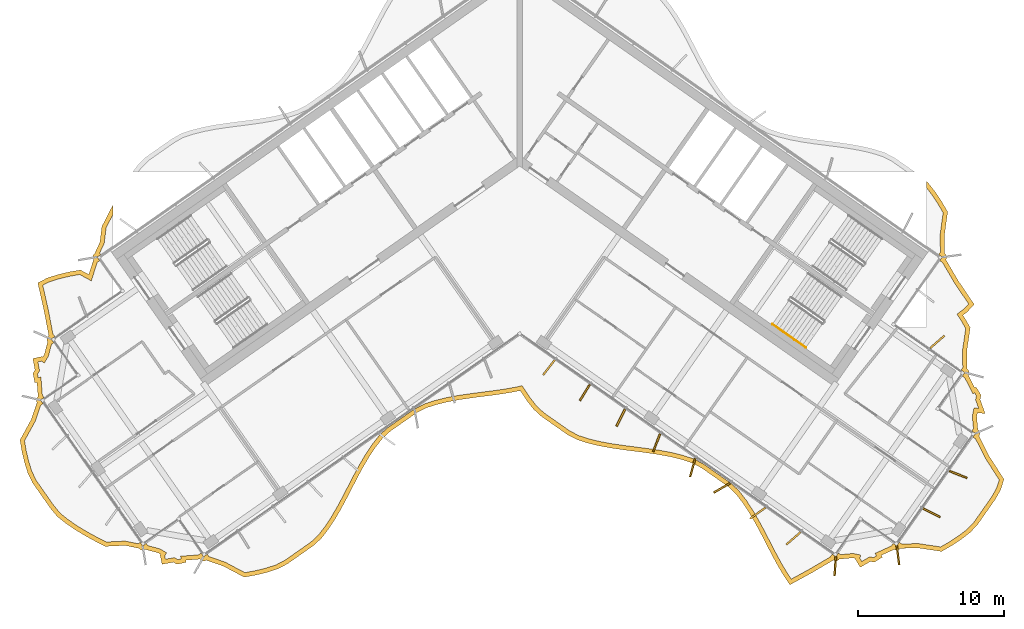
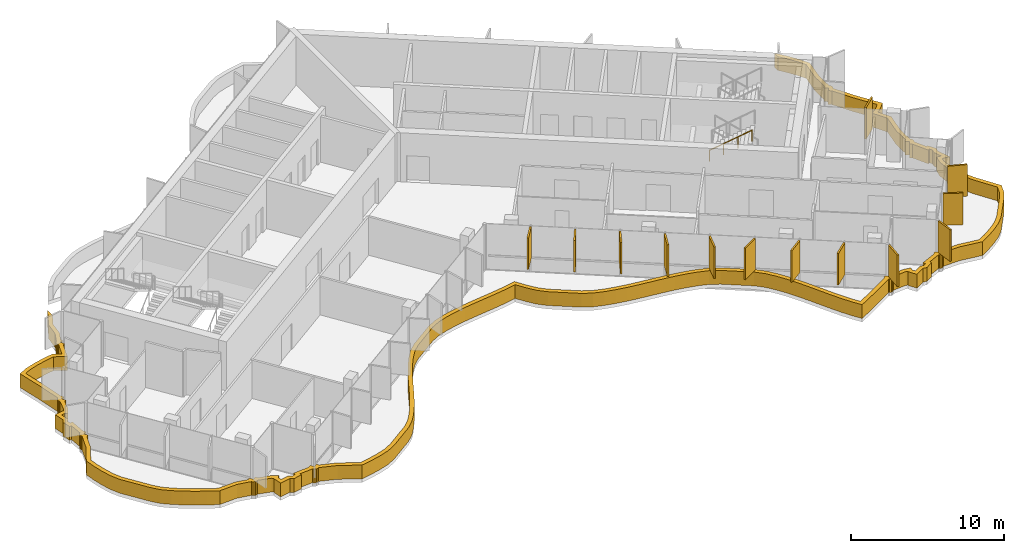
# One storey, part 16 of 18: 14 shading devices, 1 railing.
"""IFC4 building model written with IfcOpenShell, lengths in metres."""

from ifc_helpers import new_model, si_unit, direction, frame, origin, origin_2d, place, context, subcontext, project, spatial, polyline, rectangle, circle, outline, extrude, material, layer, layer_set, type_object, element, save


model = new_model("IFC4")

# Units and contexts
model_context = context("Model", 3, precision=1e-05, world=origin(), true_north=direction((0.0, 1.0)))
body_context = subcontext(model_context, "Body", "Model", "MODEL_VIEW")
ifc_project = project(units=[si_unit("LENGTHUNIT", "METRE"), si_unit("AREAUNIT", "SQUARE_METRE"), si_unit("VOLUMEUNIT", "CUBIC_METRE"), si_unit("PLANEANGLEUNIT", "RADIAN"), si_unit("MASSUNIT", "GRAM", prefix="KILO")], contexts=[model_context])

# Site, building, storey
site_placement = place(None, origin())
site = spatial("IfcSite", under=ifc_project, at=site_placement, CompositionType="ELEMENT")
building_placement = place(site_placement, origin())
building = spatial("IfcBuilding", under=site, at=building_placement, Name="Tel Ilan Convention Tower", CompositionType="ELEMENT")
storey_placement = place(building_placement, frame((0.0, 0.0, 252.699951171875)))
storey = spatial("IfcBuildingStorey", under=building, at=storey_placement, Name="L59", CompositionType="ELEMENT", Elevation=252.699951171875)

# Shading devices
ifc_material_1 = material(Name="Aluminium, bronze anodised", Category="aluminium")
ifc_layer_1 = layer(ifc_material_1, 0.1201171875)
ifc_layer_set_1 = layer_set([ifc_layer_1], Name="FIN BRONZE 1300x120")
shading_device_type_1 = type_object("IfcShadingDeviceType", Name="FIN BRONZE 1300x120", PredefinedType="USERDEFINED", material=ifc_layer_set_1)
for number, where, z_axis, x_axis, name in (
    (1, (2.007568359375, -15.019287109375, 1.10009765625), (0.0, 0.0, 1.0), (-0.612600545196, -0.790392669516, 0.0), "FIN"),
    (2, (4.466552734375, -16.740966796875, 1.10009765625), (0.0, 0.0, 1.0), (-0.533204432798, -0.845986425922, 0.0), "FIN"),
    (3, (6.92529296875, -18.46240234375, 1.10009765625), (0.0, 0.0, 1.0), (-0.448799180206, -0.893632640321, 0.0), "FIN"),
    (4, (9.38671875, -20.177978515625, 1.10009765625), (0.0, 0.0, 1.0), (-0.360177724803, -0.932883704733, 0.0), "FIN"),
    (5, (11.8505859375, -21.887939453125, 1.10009765625), (0.0, 0.0, 1.0), (-0.268172612768, -0.963370878614, 0.0), "FIN"),
    (6, (13.865966796875, -23.276611328125, 1.10009765625), (0.0, 0.0, 1.0), (-0.866025403784, -0.5, 0.0), "FIN"),
    (7, (16.310302734375, -25.0107421875, 1.10009765625), (0.0, 0.0, 1.0), (-0.813552070258, -0.581492071294, 0.0), "FIN"),
    (8, (18.759765625, -26.7412109375, 1.10009765625), (0.0, 0.0, 1.0), (-0.753435896329, -0.657521368568, 0.0), "FIN"),
    (9, (21.623046875, -28.650146484375, 1.10009765625), (0.0, 0.0, 1.0), (-0.067821812994, -0.997697449973, 0.0), "FIN"),
    (10, (25.925048828125, -27.8984375, 1.10009765625), (0.0, 0.0, 1.0), (0.125718016748, -0.992066016082, 0.0), "FIN"),
    (11, (28.227783203125, -24.98095703125, 1.10009765625), (0.0, 0.0, 1.0), (0.893632640321, -0.448799180206, 0.0), "FIN"),
    (12, (30.05517578125, -22.360107421875, 1.10009765625), (0.0, 0.0, 1.0), (0.932883704733, -0.360177724803, 0.0), "FIN"),
    (13, (28.6201171875, -13.27099609375, 1.10009765625), (0.0, 0.0, 1.0), (0.753435896329, 0.657521368568, 0.0), "FIN"),
):
    element("IfcShadingDevice", number, at=place(storey_placement, frame(where, z_axis=z_axis, x_axis=x_axis)), inside=storey, type_object=shading_device_type_1, Name=name, ObjectType="FIN", PredefinedType="USERDEFINED", context=body_context, shape_type="SweptSolid", body=[
        extrude(rectangle(XDim=1.300048828125, YDim=0.1201171875, at=origin_2d()), origin(), (0.0, 0.0, 1.0), 2.52001953125),
    ])
ifc_material_2 = material(Name="Aluminium, bronze anodised", Category="aluminium")
ifc_layer_2 = layer(ifc_material_2, 0.300048828125)
ifc_layer_set_2 = layer_set([ifc_layer_2], Name="LOUVRE BAND 300x1100")
shading_device_type_2 = type_object("IfcShadingDeviceType", Name="LOUVRE BAND 300x1100", PredefinedType="USERDEFINED", material=ifc_layer_set_2)
shading_device_placement = place(storey_placement, origin())
element("IfcShadingDevice", 14, at=shading_device_placement, inside=storey, type_object=shading_device_type_2, Name="LOUVRE BAND 46.01", ObjectType="LOUVRE", PredefinedType="USERDEFINED", context=body_context, shape_type="SweptSolid", body=[
    extrude(outline(polyline([(-33.47021484375, -18.574462890625), (-34.248779296875, -19.995849609375), (-34.1181640625, -20.780517578125), (-33.940185546875, -21.531982421875), (-33.7158203125, -22.2509765625), (-33.401611328125, -22.906982421875), (-32.166748046875, -24.670654296875), (-31.707763671875, -25.22509765625), (-31.125732421875, -25.69384765625), (-30.49462890625, -26.1279296875), (-29.82373046875, -26.5341796875), (-29.12353515625, -26.920166015625), (-28.398193359375, -27.288330078125), (-27.05419921875, -27.223388671875), (-26.083984375, -27.420166015625), (-26.05517578125, -27.46337890625), (-25.957763671875, -27.5283203125), (-25.843017578125, -27.55126953125), (-25.728271484375, -27.5283203125), (-25.674072265625, -27.492431640625), (-24.7724609375, -27.73388671875), (-24.61669921875, -27.828857421875), (-24.64697265625, -27.878662109375), (-24.51416015625, -28.518310546875), (-23.728759765625, -28.3701171875), (-23.49462890625, -28.5126953125), (-22.855224609375, -28.3798828125), (-22.8828125, -28.233154296875), (-21.90576171875, -28.15673828125), (-21.876953125, -28.2001953125), (-21.779541015625, -28.26513671875), (-21.664794921875, -28.2880859375), (-21.550048828125, -28.26513671875), (-21.49609375, -28.22900390625), (-20.311279296875, -28.64013671875), (-18.883544921875, -29.3984375), (-18.087646484375, -29.25439453125), (-17.32080078125, -29.068359375), (-16.588623046875, -28.833251953125), (-15.931640625, -28.490478515625), (-14.12646484375, -27.226318359375), (-13.582763671875, -26.721923828125), (-13.1123046875, -26.113037109375), (-12.67626953125, -25.454833984375), (-12.267333984375, -24.7578125), (-11.877197265625, -24.0341796875), (-11.11572265625, -22.56005859375), (-10.724853515625, -21.83740234375), (-10.314697265625, -21.142333984375), (-9.877197265625, -20.486572265625), (-9.404541015625, -19.88037109375), (-8.85498046875, -19.384765625), (-7.049560546875, -18.12060546875), (-6.386474609375, -17.78662109375), (-5.65234375, -17.55419921875), (-4.884033203125, -17.370849609375), (-4.088623046875, -17.225830078125), (-3.274658203125, -17.107421875), (-1.629150390625, -16.895751953125), (-0.816650390625, -16.775146484375), (0.033203125, -16.6123046875), (0.470458984375, -17.269775390625), (0.94189453125, -17.877197265625), (1.488525390625, -18.377197265625), (3.2939453125, -19.641357421875), (3.953857421875, -19.979736328125), (4.68701171875, -20.213623046875), (5.45458984375, -20.398193359375), (6.24951171875, -20.5439453125), (7.06298828125, -20.6630859375), (8.70849609375, -20.87451171875), (9.521240234375, -20.99462890625), (10.314697265625, -21.142333984375), (11.080810546875, -21.329345703125), (11.811767578125, -21.56591796875), (12.4658203125, -21.912841796875), (14.27099609375, -23.177001953125), (14.811767578125, -23.685791015625), (15.28125, -24.29638671875), (15.71630859375, -24.95556640625), (16.12451171875, -25.653564453125), (16.51416015625, -26.3779296875), (17.27587890625, -27.851806640625), (17.6669921875, -28.573974609375), (18.077880859375, -29.26806640625), (18.5185546875, -29.91943359375), (19.969482421875, -29.128173828125), (21.49609375, -28.22900390625), (21.550048828125, -28.26513671875), (21.664794921875, -28.2880859375), (21.779541015625, -28.26513671875), (21.876953125, -28.2001953125), (21.90576171875, -28.15673828125), (22.8359375, -28.075439453125), (23.0146484375, -28.111328125), (23.003173828125, -28.168701171875), (23.3466796875, -28.72412109375), (24.0341796875, -28.316162109375), (24.302734375, -28.370361328125), (24.8583984375, -28.02685546875), (24.7822265625, -27.8984375), (25.674072265625, -27.492431640625), (25.728271484375, -27.5283203125), (25.843017578125, -27.55126953125), (25.957763671875, -27.5283203125), (26.05517578125, -27.46337890625), (26.083984375, -27.420166015625), (27.309326171875, -27.395263671875), (28.911376953125, -27.634521484375), (29.60546875, -27.237548828125), (30.25439453125, -26.809326171875), (30.856201171875, -26.347900390625), (31.3623046875, -25.819580078125), (32.6064453125, -24.042724609375), (32.962646484375, -23.409423828125), (33.192138671875, -22.687255859375), (32.166015625, -21.086181640625), (31.4755859375, -19.719970703125), (31.51171875, -19.666015625), (31.53466796875, -19.55126953125), (31.51171875, -19.4365234375), (31.44677734375, -19.339111328125), (31.4033203125, -19.31005859375), (31.322021484375, -18.380126953125), (31.373779296875, -18.12255859375), (31.9052734375, -18.189697265625), (31.555419921875, -17.218994140625), (31.616943359375, -16.9130859375), (31.2734375, -16.357666015625), (31.182861328125, -16.411376953125), (30.739013671875, -15.541748046875), (30.775146484375, -15.48779296875), (30.7978515625, -15.373046875), (30.775146484375, -15.25830078125), (30.7099609375, -15.160888671875), (30.666748046875, -15.1318359375), (30.642822265625, -13.902099609375), (30.879638671875, -12.2998046875), (30.48095703125, -11.605224609375), (30.3720703125, -11.4404296875), (30.66748046875, -11.218994140625), (31.151123046875, -10.703125), (30.056640625, -9.082275390625), (29.199951171875, -7.6279296875), (29.236083984375, -7.57373046875), (29.2587890625, -7.458984375), (29.236083984375, -7.34423828125), (29.1708984375, -7.246826171875), (29.127685546875, -7.218017578125), (29.10986328125, -5.95947265625), (29.331298828125, -4.35888671875), (28.922119140625, -3.659423828125), (28.48388671875, -3.001220703125), (28.0107421875, -2.392822265625), (27.874755859375, -2.269287109375), (27.874755859375, -2.70654296875), (28.240234375, -3.176513671875), (28.66748046875, -3.818359375), (29.02001953125, -4.420654296875), (28.809326171875, -5.941162109375), (28.829345703125, -7.12109375), (28.713134765625, -7.286865234375), (28.958740234375, -7.458984375), (28.787353515625, -7.705322265625), (28.97900390625, -7.83935546875), (29.802734375, -9.2421875), (30.7685546875, -10.672607421875), (30.466552734375, -10.99462890625), (29.9658203125, -11.369873046875), (30.225341796875, -11.7626953125), (30.567626953125, -12.35888671875), (30.34228515625, -13.88330078125), (30.367919921875, -15.03564453125), (30.252197265625, -15.200927734375), (30.497802734375, -15.373046875), (30.326416015625, -15.619140625), (30.510009765625, -15.747802734375), (31.060302734375, -16.832763671875), (31.173095703125, -16.765869140625), (31.29931640625, -16.97021484375), (31.244873046875, -17.241943359375), (31.45703125, -17.830810546875), (31.134765625, -17.7900390625), (31.019287109375, -18.364013671875), (31.097900390625, -19.223388671875), (30.98876953125, -19.379150390625), (31.234619140625, -19.55126953125), (31.063232421875, -19.79736328125), (31.246337890625, -19.92578125), (31.905029296875, -21.23486328125), (32.863525390625, -22.730712890625), (32.68603515625, -23.289306640625), (32.352294921875, -23.8828125), (31.129638671875, -25.628662109375), (30.6552734375, -26.123779296875), (30.080322265625, -26.56494140625), (29.4482421875, -26.98193359375), (28.852783203125, -27.322265625), (27.328125, -27.0947265625), (26.18017578125, -27.12109375), (26.01513671875, -27.005615234375), (25.843017578125, -27.251220703125), (25.5966796875, -27.079833984375), (25.472412109375, -27.257568359375), (24.35302734375, -27.762939453125), (24.4501953125, -27.926513671875), (24.245849609375, -28.052734375), (23.980224609375, -27.99951171875), (23.447021484375, -28.31591796875), (23.32080078125, -28.111572265625), (23.367919921875, -27.87646484375), (22.85205078125, -27.772705078125), (21.99267578125, -27.851318359375), (21.8369140625, -27.7421875), (21.664794921875, -27.988037109375), (21.418701171875, -27.816650390625), (21.284423828125, -28.008056640625), (19.82177734375, -28.866943359375), (18.6142578125, -29.525634765625), (18.331298828125, -29.107666015625), (17.92822265625, -28.426025390625), (17.541015625, -27.71142578125), (16.779541015625, -26.238037109375), (16.38623046875, -25.506591796875), (15.97119140625, -24.797119140625), (15.525634765625, -24.1220703125), (15.034912109375, -23.48388671875), (14.4609375, -22.94384765625), (12.62255859375, -21.656494140625), (11.92919921875, -21.288818359375), (11.16259765625, -21.04052734375), (10.3779296875, -20.848876953125), (9.570556640625, -20.69873046875), (8.749755859375, -20.577392578125), (7.103759765625, -20.36572265625), (6.29833984375, -20.248046875), (5.516845703125, -20.1044921875), (4.767822265625, -19.924560546875), (4.068603515625, -19.701416015625), (3.44921875, -19.3837890625), (1.6767578125, -18.142822265625), (1.163330078125, -17.673095703125), (0.714111328125, -17.094482421875), (0.165771484375, -16.269775390625), (-0.087890625, -16.33349609375), (-0.866455078125, -16.479248046875), (-1.67041015625, -16.5986328125), (-3.315185546875, -16.81005859375), (-4.136962890625, -16.9296875), (-4.945556640625, -17.0771484375), (-5.732666015625, -17.264892578125), (-6.5, -17.5078125), (-7.203857421875, -17.8623046875), (-9.042236328125, -19.1494140625), (-9.625, -19.67529296875), (-10.12060546875, -20.310791015625), (-10.56884765625, -20.982666015625), (-10.986083984375, -21.68994140625), (-11.380859375, -22.419677734375), (-12.142578125, -23.89404296875), (-12.529052734375, -24.61083984375), (-12.930908203125, -25.2958984375), (-13.356201171875, -25.938232421875), (-13.804931640625, -26.518798828125), (-14.315185546875, -26.992431640625), (-16.087890625, -28.233642578125), (-16.704833984375, -28.555419921875), (-17.402099609375, -28.779541015625), (-18.149658203125, -28.960693359375), (-18.83447265625, -29.084716796875), (-20.19140625, -28.3642578125), (-21.302978515625, -27.981689453125), (-21.418701171875, -27.816650390625), (-21.664794921875, -27.988037109375), (-21.8369140625, -27.7421875), (-22.01513671875, -27.8671875), (-23.239990234375, -27.959228515625), (-23.20458984375, -28.14599609375), (-23.439697265625, -28.19482421875), (-23.671142578125, -28.053955078125), (-24.2802734375, -28.1689453125), (-24.3291015625, -27.933837890625), (-24.204345703125, -27.72900390625), (-24.65380859375, -27.455078125), (-25.48828125, -27.23486328125), (-25.5966796875, -27.079833984375), (-25.843017578125, -27.251220703125), (-26.01513671875, -27.005615234375), (-26.15478515625, -27.103271484375), (-27.03076171875, -26.921875), (-28.333251953125, -26.98486328125), (-28.983154296875, -26.65478515625), (-29.673583984375, -26.2744140625), (-30.331787109375, -25.8759765625), (-30.946533203125, -25.453125), (-31.495849609375, -25.010498046875), (-31.927978515625, -24.488525390625), (-33.141845703125, -22.755126953125), (-33.43603515625, -22.140869140625), (-33.650634765625, -21.45263671875), (-33.823974609375, -20.72119140625), (-33.935791015625, -20.048828125), (-33.1943359375, -18.6953125), (-32.833251953125, -17.61865234375), (-32.669189453125, -17.50390625), (-32.840576171875, -17.257568359375), (-32.594970703125, -17.08544921875), (-32.7197265625, -16.9072265625), (-32.811767578125, -15.6826171875), (-32.998779296875, -15.7177734375), (-33.047607421875, -15.482666015625), (-32.906494140625, -15.251220703125), (-33.021484375, -14.64208984375), (-32.786376953125, -14.59326171875), (-32.58154296875, -14.718017578125), (-32.3076171875, -14.268798828125), (-32.087646484375, -13.434326171875), (-31.932373046875, -13.32568359375), (-32.103759765625, -13.079345703125), (-31.858154296875, -12.9072265625), (-31.993408203125, -12.714111328125), (-32.314697265625, -11.033447265625), (-32.68798828125, -9.385986328125), (-32.26708984375, -9.168701171875), (-31.5771484375, -8.950439453125), (-30.838623046875, -8.77392578125), (-30.161376953125, -8.65625), (-29.363525390625, -9.087646484375), (-28.950439453125, -7.8193359375), (-28.787353515625, -7.705322265625), (-28.958740234375, -7.458984375), (-28.713134765625, -7.286865234375), (-28.785888671875, -7.182861328125), (-28.480224609375, -6.525634765625), (-28.343994140625, -5.44384765625), (-27.874755859375, -4.536376953125), (-27.874755859375, -3.881103515625), (-28.635009765625, -5.353271484375), (-28.772216796875, -6.441650390625), (-29.127685546875, -7.218017578125), (-29.1708984375, -7.246826171875), (-29.236083984375, -7.34423828125), (-29.2587890625, -7.458984375), (-29.236083984375, -7.57373046875), (-29.199951171875, -7.6279296875), (-29.537353515625, -8.652587890625), (-30.110107421875, -8.3427734375), (-30.899169921875, -8.47998046875), (-31.6572265625, -8.661376953125), (-32.3818359375, -8.890380859375), (-33.031982421875, -9.225830078125), (-32.6083984375, -11.094970703125), (-32.272705078125, -12.83837890625), (-32.31591796875, -12.8671875), (-32.381103515625, -12.964599609375), (-32.40380859375, -13.079345703125), (-32.381103515625, -13.1943359375), (-32.344970703125, -13.248291015625), (-32.586669921875, -14.14990234375), (-32.681640625, -14.3056640625), (-32.7314453125, -14.275390625), (-33.370849609375, -14.408203125), (-33.22265625, -15.193603515625), (-33.365478515625, -15.427734375), (-33.232666015625, -16.067138671875), (-33.0859375, -16.03955078125), (-33.009521484375, -17.0166015625), (-33.052734375, -17.04541015625), (-33.11767578125, -17.142822265625), (-33.140625, -17.257568359375), (-33.11767578125, -17.372314453125), (-33.081787109375, -17.426513671875), (-33.47021484375, -18.574462890625)])), origin(), (0.0, 0.0, 1.0), 1.10009765625),
])

# Railing
ifc_material_3 = material(Name="Stainless Steel Grade 316", Category="steel")
railing_type = type_object("IfcRailingType", Name="Stainless Steel Stair Handrail 900 mm", PredefinedType="HANDRAIL", material=ifc_material_3)
railing_placement = place(storey_placement, frame((17.312744140625, -12.0615234375, 2.12744140625)))
element("IfcRailing", 15, at=railing_placement, inside=storey, type_object=railing_type, Name="L59 S4 stair handrail 2", PredefinedType="HANDRAIL", context=body_context, shape_type="SweptSolid", body=[
    extrude(circle(Radius=0.02392578125, at=origin_2d()), frame((0.0, 0.0, 0.8759765625), z_axis=(0.692123088272, -0.484596665743, 0.534912798717), x_axis=(0.573550118428, 0.819170471667, 0.0)), (0.0, 0.0, 1.0), 3.31396484375),
    extrude(circle(Radius=0.02099609375, at=origin_2d()), origin(), (0.0, 0.0, 1.0), 0.851806640625),
    extrude(circle(Radius=0.02099609375, at=origin_2d()), frame((0.7646484375, -0.535400390625, 0.5908203125)), (0.0, 0.0, 1.0), 0.851806640625),
    extrude(circle(Radius=0.02099609375, at=origin_2d()), frame((1.529052734375, -1.070556640625, 1.181884765625)), (0.0, 0.0, 1.0), 0.851806640625),
    extrude(circle(Radius=0.02099609375, at=origin_2d()), frame((2.293701171875, -1.60595703125, 1.772705078125)), (0.0, 0.0, 1.0), 0.851806640625),
])

save(model, "model.ifc")
